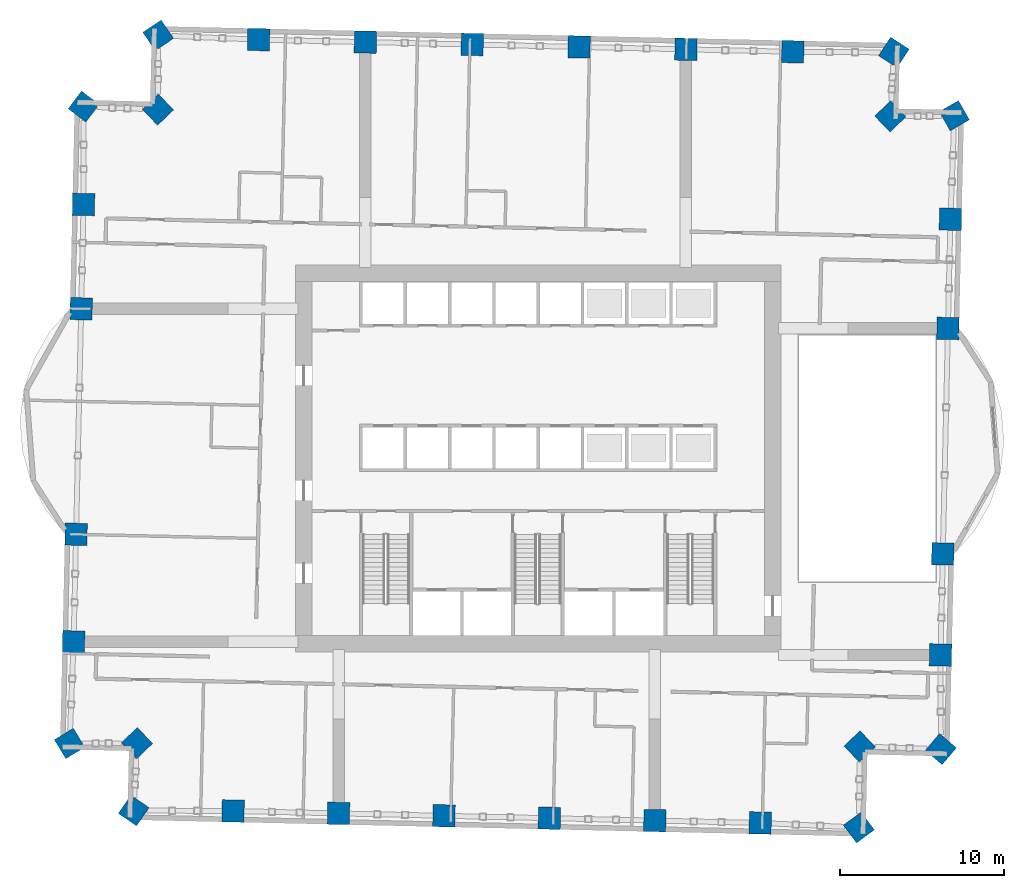
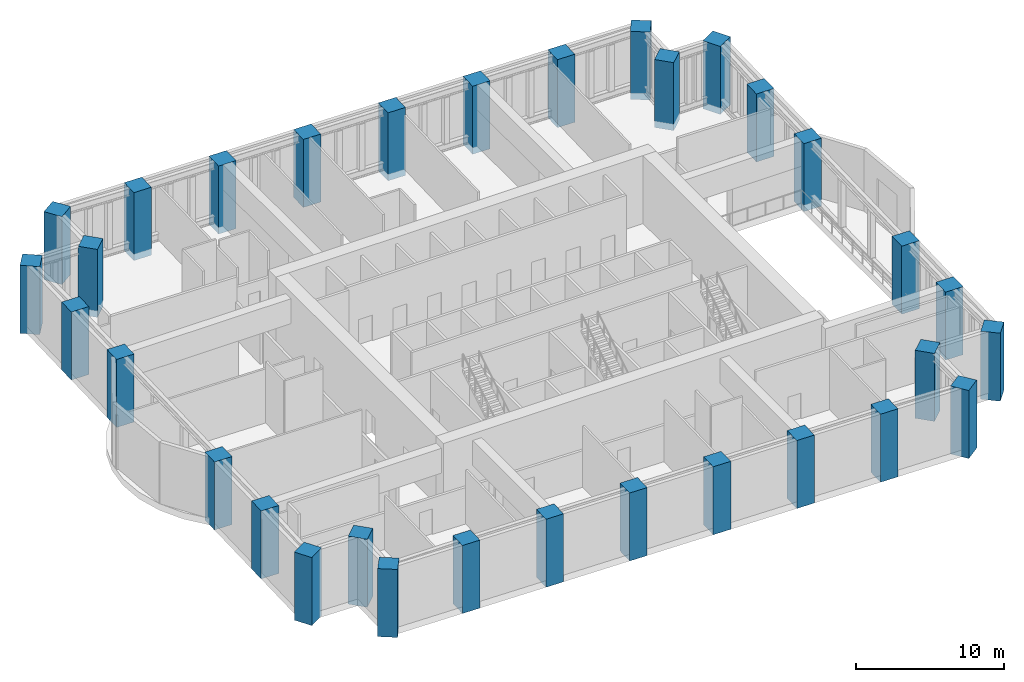
# One storey, part 1 of 13: 32 columns.
"""IFC4 building model written with IfcOpenShell, lengths in metres."""

from ifc_helpers import new_model, si_unit, direction, frame, origin, origin_2d, place, context, subcontext, project, spatial, rectangle, extrude, material, material_profile, profile_set, type_object, element, save


model = new_model("IFC4")

# Units and contexts
model_context = context("Model", 3, precision=1e-05, world=origin(), true_north=direction((0.0, 1.0)))
body_context = subcontext(model_context, "Body", "Model", "MODEL_VIEW")
ifc_project = project(units=[si_unit("LENGTHUNIT", "METRE"), si_unit("AREAUNIT", "SQUARE_METRE"), si_unit("VOLUMEUNIT", "CUBIC_METRE"), si_unit("PLANEANGLEUNIT", "RADIAN"), si_unit("MASSUNIT", "GRAM", prefix="KILO")], contexts=[model_context])

# Site, building, storey
site_placement = place(None, origin())
site = spatial("IfcSite", under=ifc_project, at=site_placement, CompositionType="ELEMENT")
building_placement = place(site_placement, origin())
building = spatial("IfcBuilding", under=site, at=building_placement, Name="Mangrove Gate Tower", CompositionType="ELEMENT")
storey_placement = place(building_placement, frame((0.0, 0.0, 119.89990234375)))
storey = spatial("IfcBuildingStorey", under=building, at=storey_placement, Name="L30", CompositionType="ELEMENT", Elevation=119.89990234375)

# Columns
ifc_material = material(Name="Concrete C70/85", Category="concrete")
ifc_material_profile = material_profile(ifc_material, rectangle(XDim=1.35009765625, YDim=1.35009765625, at=origin_2d()))
ifc_profile_set = profile_set([ifc_material_profile], Name="Concrete C70/85")
column_type = type_object("IfcColumnType", Name="Column RC 1350x1350 C70/85", PredefinedType="COLUMN", material=ifc_profile_set)
for number, where, z_axis, x_axis, name in (
    (1, (-28.17822265625, -4.624267578125, -0.5498046875), (0.0, 0.0, 1.0), (-0.022695691547, -0.999742419619, 0.0), "Column L30 W05"),
    (2, (-28.3271484375, -11.184326171875, -0.5498046875), (0.0, 0.0, 1.0), (-0.022705829297, -0.999742189425, 0.0), "Column L30 W06"),
    (3, (-28.574462890625, -17.379150390625, -0.5498046875), (0.0, 0.0, 1.0), (0.51980850099, -0.85428281166, 0.0), "Column L30 W07"),
    (4, (-24.464111328125, -17.358642578125, -0.5498046875), (0.0, 0.0, 1.0), (0.69093208713, -0.722919671176, 0.0), "Column L30 W08"),
    (5, (-24.6650390625, -21.46728515625, -0.5498046875), (0.0, 0.0, 1.0), (0.824584810142, -0.565738359034, 0.0), "Column L30 S01"),
    (6, (-18.603759765625, -21.4951171875, -0.5498046875), (0.0, 0.0, 1.0), (0.999742156532, -0.022707277547, 0.0), "Column L30 S02"),
    (7, (-12.17578125, -21.64111328125, -0.5498046875), (0.0, 0.0, 1.0), (0.999742156532, -0.022707277547, 0.0), "Column L30 S03"),
    (8, (-5.74755859375, -21.787109375, -0.5498046875), (0.0, 0.0, 1.0), (0.999742156532, -0.022707277547, 0.0), "Column L30 S04"),
    (9, (0.680419921875, -21.93310546875, -0.5498046875), (0.0, 0.0, 1.0), (0.999742156532, -0.022707277547, 0.0), "Column L30 S05"),
    (10, (7.108154296875, -22.0791015625, -0.5498046875), (0.0, 0.0, 1.0), (0.999743919101, -0.022629543109, 0.0), "Column L30 S06"),
    (11, (13.536376953125, -22.22412109375, -0.5498046875), (0.0, 0.0, 1.0), (0.999743919101, -0.022629543109, 0.0), "Column L30 S07"),
    (12, (19.546875, -22.5029296875, -0.5498046875), (0.0, 0.0, 1.0), (0.803200357552, 0.595708977294, 0.0), "Column L30 S08"),
    (13, (19.5966796875, -17.55908203125, -0.5498046875), (0.0, 0.0, 1.0), (0.722976563275, 0.690872556232, 0.0), "Column L30 E01"),
    (14, (24.546630859375, -17.722900390625, -0.5498046875), (0.0, 0.0, 1.0), (0.64744355459, 0.76211340601, 0.0), "Column L30 E02"),
    (15, (24.526123046875, -11.983642578125, -0.5498046875), (0.0, 0.0, 1.0), (0.022717711923, 0.99974191948, 0.0), "Column L30 E03"),
    (16, (24.666259765625, -5.82275390625, -0.5498046875), (0.0, 0.0, 1.0), (0.022698588047, 0.99974235386, 0.0), "Column L30 E04"),
    (17, (24.978271484375, 7.92431640625, -0.5498046875), (0.0, 0.0, 1.0), (0.022682447908, 0.999742720182, 0.0), "Column L30 E05"),
    (18, (25.129150390625, 14.584228515625, -0.5498046875), (0.0, 0.0, 1.0), (0.022665138693, 0.999743112748, 0.0), "Column L30 E06"),
    (19, (25.36865234375, 20.895751953125, -0.5498046875), (0.0, 0.0, 1.0), (-0.495140886792, 0.868812696861, 0.0), "Column L30 E07"),
    (20, (21.468017578125, 20.854736328125, -0.5498046875), (0.0, 0.0, 1.0), (-0.690837236726, 0.723010312757, 0.0), "Column L30 E08"),
    (21, (21.680908203125, 24.7529296875, -0.5498046875), (0.0, 0.0, 1.0), (-0.840169758103, 0.542323499001, 0.0), "Column L30 N01"),
    (22, (15.517822265625, 24.792236328125, -0.5498046875), (0.0, 0.0, 1.0), (-0.999743694319, 0.022639471488, 0.0), "Column L30 N02"),
    (23, (9.004638671875, 24.940185546875, -0.5498046875), (0.0, 0.0, 1.0), (-0.99974195437, 0.02271617643, 0.0), "Column L30 N03"),
    (24, (2.49072265625, 25.088134765625, -0.5498046875), (0.0, 0.0, 1.0), (-0.999741994016, 0.022714431551, 0.0), "Column L30 N04"),
    (25, (-4.0234375, 25.236083984375, -0.5498046875), (0.0, 0.0, 1.0), (-0.999741994016, 0.022714431551, 0.0), "Column L30 N05"),
    (26, (-10.537353515625, 25.38427734375, -0.5498046875), (0.0, 0.0, 1.0), (-0.99974195437, 0.02271617643, 0.0), "Column L30 N06"),
    (27, (-17.05029296875, 25.5322265625, -0.5498046875), (0.0, 0.0, 1.0), (-0.999743694319, 0.022639471488, 0.0), "Column L30 N07"),
    (28, (-23.17236328125, 25.7939453125, -0.5498046875), (0.0, 0.0, 1.0), (-0.829825550582, -0.558022898815, 0.0), "Column L30 N08"),
    (29, (-23.187744140625, 21.26806640625, -0.5498046875), (0.0, 0.0, 1.0), (-0.722988982899, -0.690859559249, 0.0), "Column L30 W01"),
    (30, (-27.714111328125, 21.4521484375, -0.5498046875), (0.0, 0.0, 1.0), (-0.604088172923, -0.796917485901, 0.0), "Column L30 W02"),
    (31, (-27.72216796875, 15.483642578125, -0.5498046875), (0.0, 0.0, 1.0), (-0.02271069751, -0.999742078848, 0.0), "Column L30 W03"),
    (32, (-27.8662109375, 9.122802734375, -0.5498046875), (0.0, 0.0, 1.0), (-0.022671716894, -0.999742963593, 0.0), "Column L30 W04"),
):
    element("IfcColumn", number, at=place(storey_placement, frame(where, z_axis=z_axis, x_axis=x_axis)), inside=storey, type_object=column_type, Name=name, PredefinedType="COLUMN", context=body_context, shape_type="SweptSolid", body=[
        extrude(rectangle(XDim=1.35009765625, YDim=1.35009765625, at=origin_2d()), origin(), (0.0, 0.0, 1.0), 5.599853515625),
    ])

save(model, "model.ifc")
